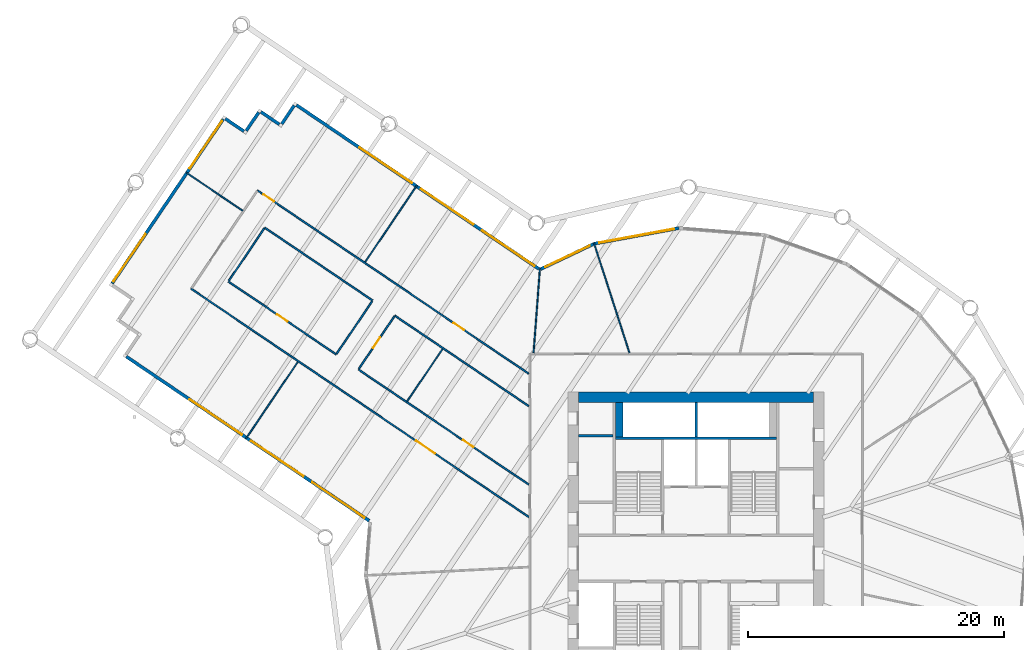
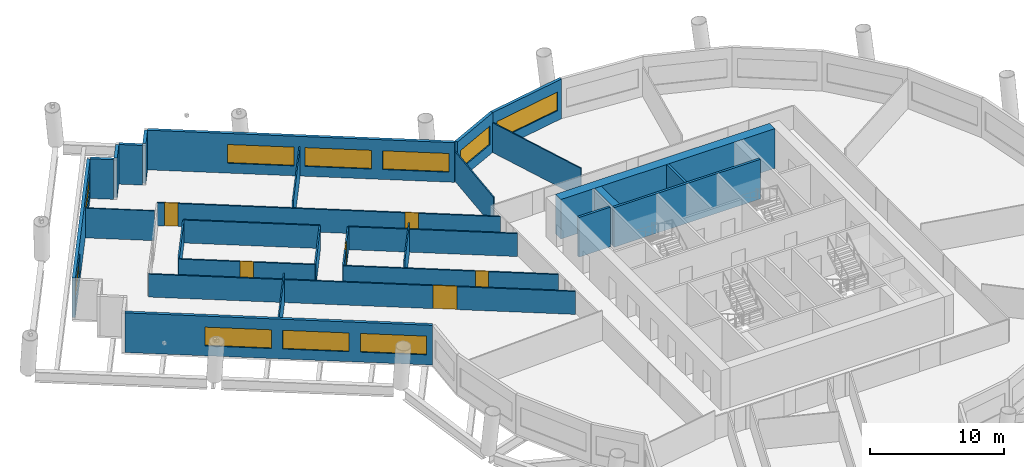
# One storey, part 6 of 13: 29 walls, 10 windows, 6 doors, 16 openings.
"""IFC4 building model written with IfcOpenShell, lengths in metres."""

from ifc_helpers import new_model, si_unit, direction, frame, frame_2d, origin, place, context, subcontext, project, spatial, rectangle, extrude, material, layer, layer_set, type_object, element, fill, save


model = new_model("IFC4")

# Units and contexts
model_context = context("Model", 3, precision=1e-05, world=origin(), true_north=direction((0.0, 1.0)))
body_context = subcontext(model_context, "Body", "Model", "MODEL_VIEW")
ifc_project = project(units=[si_unit("LENGTHUNIT", "METRE"), si_unit("AREAUNIT", "SQUARE_METRE"), si_unit("VOLUMEUNIT", "CUBIC_METRE"), si_unit("PLANEANGLEUNIT", "RADIAN"), si_unit("MASSUNIT", "GRAM", prefix="KILO")], contexts=[model_context])

# Site, building, storey
site_placement = place(None, origin())
site = spatial("IfcSite", under=ifc_project, at=site_placement, CompositionType="ELEMENT")
building_placement = place(site_placement, origin())
building = spatial("IfcBuilding", under=site, at=building_placement, Name="Tarsis Ring Headquarters", CompositionType="ELEMENT")
storey_placement = place(building_placement, frame((0.0, 0.0, 135.699951171875)))
storey = spatial("IfcBuildingStorey", under=building, at=storey_placement, Name="L31", CompositionType="ELEMENT", Elevation=135.699951171875)

# Walls
ifc_material_1 = material(Name="Blockwork", Category="masonry")
ifc_layer_1 = layer(ifc_material_1, 0.199951171875)
ifc_layer_set_1 = layer_set([ifc_layer_1], Name="Core blockwork wall 200")
wall_type_1 = type_object("IfcWallType", Name="Core blockwork wall 200", PredefinedType="PARTITIONING", material=ifc_layer_set_1)
wall_1_placement = place(storey_placement, frame((-9.199951171875, 9.60009765625, 0.0), z_axis=(0.0, 0.0, 1.0), x_axis=(1.0, 0.0, 0.0)))
element("IfcWall", 1, at=wall_1_placement, inside=storey, type_object=wall_type_1, Name="Core partition WD7", PredefinedType="PARTITIONING", context=body_context, shape_type="SweptSolid", body=[
    extrude(rectangle(XDim=2.699951171875, YDim=0.199951171875, at=frame_2d((1.35009765625, 0.0))), origin(), (0.0, 0.0, 1.0), 3.60009765625),
])
ifc_material_2 = material(Name="Concrete C60/75", Category="concrete")
ifc_layer_2 = layer(ifc_material_2, 0.800048828125)
ifc_layer_set_2 = layer_set([ifc_layer_2], Name="Core wall 800 C60/75")
wall_type_2 = type_object("IfcWallType", Name="Core wall 800 C60/75", PredefinedType="SHEAR", material=ifc_layer_set_2)
wall_2_placement = place(storey_placement, frame((-9.199951171875, 12.60009765625, 0.0), z_axis=(0.0, 0.0, 1.0), x_axis=(1.0, 0.0, 0.0)))
element("IfcWall", 2, at=wall_2_placement, inside=storey, type_object=wall_type_2, Name="Core wall ON", PredefinedType="SHEAR", context=body_context, shape_type="SweptSolid", body=[
    extrude(rectangle(XDim=18.39990234375, YDim=0.800048828125, at=frame_2d((9.199951171875, 0.0))), origin(), (0.0, 0.0, 1.0), 3.60009765625),
])
ifc_material_3 = material(Name="Gypsum board on steel studs", Category="steel")
ifc_layer_3 = layer(ifc_material_3, 0.10009765625)
ifc_layer_set_3 = layer_set([ifc_layer_3], Name="FL partition 100 unrated")
wall_type_3 = type_object("IfcWallType", Name="FL partition 100 unrated", PredefinedType="PARTITIONING", material=ifc_layer_set_3)
wall_3_placement = place(storey_placement, frame((-7.992431640625, 24.686279296875, 0.0), z_axis=(0.0, 0.0, 1.0), x_axis=(0.308017796693, -0.951380595199, 0.0)))
element("IfcWall", 3, at=wall_3_placement, inside=storey, type_object=wall_type_3, Name="Partition PW3", PredefinedType="PARTITIONING", context=body_context, shape_type="SweptSolid", body=[
    extrude(rectangle(XDim=9.050048828125, YDim=0.10009765625, at=frame_2d((4.52490234375, 0.0))), origin(), (0.0, 0.0, 1.0), 2.699951171875),
])
for number, where, z_axis, x_axis, name in (
    (4, (-25.87744140625, 23.17919921875, 0.0), (0.0, 0.0, 1.0), (0.560065754531, 0.828448158065, 0.0), "Partition PW3"),
    (5, (-35.19970703125, 9.37158203125, 0.0), (0.0, 0.0, 1.0), (0.560042610526, 0.828463803914, 0.0), "Partition PW3"),
):
    element("IfcWall", number, at=place(storey_placement, frame(where, z_axis=z_axis, x_axis=x_axis)), inside=storey, type_object=wall_type_3, Name=name, PredefinedType="PARTITIONING", context=body_context, shape_type="SweptSolid", body=[
        extrude(rectangle(XDim=7.239990234375, YDim=0.10009765625, at=frame_2d((3.6201171875, 0.0))), origin(), (0.0, 0.0, 1.0), 2.699951171875),
    ])
wall_4_placement = place(storey_placement, frame((-12.708251953125, 16.069580078125, 0.0), z_axis=(0.0, 0.0, 1.0), x_axis=(0.075137594398, 0.997173175486, 0.0)))
element("IfcWall", 6, at=wall_4_placement, inside=storey, type_object=wall_type_3, Name="Partition PW3", PredefinedType="PARTITIONING", context=body_context, shape_type="SweptSolid", body=[
    extrude(rectangle(XDim=6.59912109375, YDim=0.10009765625, at=frame_2d((3.299560546875, 0.0))), origin(), (0.0, 0.0, 1.0), 2.699951171875),
])
wall_5_placement = place(storey_placement, frame((-39.8857421875, 30.18701171875, 0.0), z_axis=(0.0, 0.0, 1.0), x_axis=(0.828445332947, -0.560069933417, 0.0)))
element("IfcWall", 7, at=wall_5_placement, inside=storey, type_object=wall_type_3, Name="Partition PW3", PredefinedType="PARTITIONING", context=body_context, shape_type="SweptSolid", body=[
    extrude(rectangle(XDim=5.349853515625, YDim=0.10009765625, at=frame_2d((2.6748046875, 0.0))), origin(), (0.0, 0.0, 1.0), 2.699951171875),
])
wall_6_placement = place(storey_placement, frame((-22.591796875, 12.291259765625, 0.0), z_axis=(0.0, 0.0, 1.0), x_axis=(0.560082980175, 0.828436512545, 0.0)))
element("IfcWall", 8, at=wall_6_placement, inside=storey, type_object=wall_type_3, Name="Partition PW3", PredefinedType="PARTITIONING", context=body_context, shape_type="SweptSolid", body=[
    extrude(rectangle(XDim=4.940185546875, YDim=0.10009765625, at=frame_2d((2.47021484375, 0.0))), origin(), (0.0, 0.0, 1.0), 2.699951171875),
])

# Wall, opening, door
ifc_layer_4 = layer(ifc_material_3, 0.125)
ifc_layer_set_4 = layer_set([ifc_layer_4], Name="FL partition 125 EI 60 H2080")
wall_type_4 = type_object("IfcWallType", Name="FL partition 125 EI 60 H2080", PredefinedType="PARTITIONING", material=ifc_layer_set_4)
wall_7_placement = place(storey_placement, frame((-39.489501953125, 21.095458984375, 0.0), z_axis=(0.0, 0.0, 1.0), x_axis=(0.828451961878, -0.560060127898, 0.0)))
wall_7 = element("IfcWall", 9, at=wall_7_placement, inside=storey, type_object=wall_type_4, Name="Partition PW1H208", PredefinedType="PARTITIONING", context=body_context, shape_type="SweptSolid", body=[
    extrude(rectangle(XDim=31.86474609375, YDim=0.125, at=frame_2d((15.932373046875, 0.0))), origin(), (0.0, 0.0, 1.0), 2.080078125),
])
opening_1_placement = place(wall_7_placement, frame((21.227294921875, 0.0, 0.0)))
opening_1 = element("IfcOpeningElement", 10, at=opening_1_placement, cuts=wall_7, Name="Opening D31.13", PredefinedType="OPENING", context=body_context, shape_type="SweptSolid", body=[
    extrude(rectangle(XDim=1.800048828125, YDim=2.10009765625, at=frame_2d((0.89990234375, 1.050048828125))), frame((0.0, 0.072509765625, 0.0), z_axis=(0.0, -1.0, 0.0), x_axis=(1.0, 0.0, 0.0)), (0.0, 0.0, 1.0), 0.14501953125),
])
ifc_material_4 = material(Name="Fire-rated timber door leaf in steel frame", Category="steel")
door_type_1 = type_object("IfcDoorType", Name="FL door FD60-1800", OperationType="DOUBLE_DOOR_SINGLE_SWING", PredefinedType="DOOR", material=ifc_material_4)
door_1_placement = place(opening_1_placement, origin())
door_1 = element("IfcDoor", 11, at=door_1_placement, inside=storey, type_object=door_type_1, Name="Door D31.13", OperationType="DOUBLE_DOOR_SINGLE_SWING", OverallHeight=2.10009765625, OverallWidth=1.800048828125, PredefinedType="DOOR", context=body_context, shape_type="SweptSolid", body=[
    extrude(rectangle(XDim=1.800048828125, YDim=2.10009765625, at=frame_2d((0.89990234375, 1.050048828125))), frame((0.0, 0.02490234375, 0.0), z_axis=(0.0, -1.0, 0.0), x_axis=(1.0, 0.0, 0.0)), (0.0, 0.0, 1.0), 0.050048828125),
])
fill(opening_1, door_1)

# Wall, openings, doors
wall_8_placement = place(storey_placement, frame((-34.292236328125, 28.783447265625, 0.0), z_axis=(0.0, 0.0, 1.0), x_axis=(0.82845031721, -0.560062560715, 0.0)))
wall_8 = element("IfcWall", 12, at=wall_8_placement, inside=storey, type_object=wall_type_4, Name="Partition PW1H208", PredefinedType="PARTITIONING", context=body_context, shape_type="SweptSolid", body=[
    extrude(rectangle(XDim=25.59130859375, YDim=0.125, at=frame_2d((12.795654296875, 0.0))), origin(), (0.0, 0.0, 1.0), 2.080078125),
])
opening_2_placement = place(wall_8_placement, frame((0.550048828125, 0.0, 0.0)))
opening_2 = element("IfcOpeningElement", 13, at=opening_2_placement, cuts=wall_8, Name="Opening D31.02", PredefinedType="OPENING", context=body_context, shape_type="SweptSolid", body=[
    extrude(rectangle(XDim=1.0, YDim=2.10009765625, at=frame_2d((0.5, 1.050048828125))), frame((0.0, 0.072509765625, 0.0), z_axis=(0.0, -1.0, 0.0), x_axis=(1.0, 0.0, 0.0)), (0.0, 0.0, 1.0), 0.14501953125),
])
opening_3_placement = place(wall_8_placement, frame((18.490478515625, 0.0, 0.0)))
opening_3 = element("IfcOpeningElement", 14, at=opening_3_placement, cuts=wall_8, Name="Opening D31.03", PredefinedType="OPENING", context=body_context, shape_type="SweptSolid", body=[
    extrude(rectangle(XDim=1.0, YDim=2.10009765625, at=frame_2d((0.5, 1.050048828125))), frame((0.0, 0.072509765625, 0.0), z_axis=(0.0, -1.0, 0.0), x_axis=(1.0, 0.0, 0.0)), (0.0, 0.0, 1.0), 0.14501953125),
])
door_type_2 = type_object("IfcDoorType", Name="FL door FD60-1000", OperationType="NOTDEFINED", PredefinedType="DOOR", material=ifc_material_4)
door_2_placement = place(opening_2_placement, origin())
door_2 = element("IfcDoor", 15, at=door_2_placement, inside=storey, type_object=door_type_2, Name="Door D31.02", OperationType="SINGLE_SWING_LEFT", OverallHeight=2.10009765625, OverallWidth=1.0, PredefinedType="DOOR", context=body_context, shape_type="SweptSolid", body=[
    extrude(rectangle(XDim=1.0, YDim=2.10009765625, at=frame_2d((0.5, 1.050048828125))), frame((0.0, 0.02490234375, 0.0), z_axis=(0.0, -1.0, 0.0), x_axis=(1.0, 0.0, 0.0)), (0.0, 0.0, 1.0), 0.050048828125),
])
fill(opening_2, door_2)
door_3_placement = place(opening_3_placement, origin())
door_3 = element("IfcDoor", 16, at=door_3_placement, inside=storey, type_object=door_type_2, Name="Door D31.03", OperationType="SINGLE_SWING_RIGHT", OverallHeight=2.10009765625, OverallWidth=1.0, PredefinedType="DOOR", context=body_context, shape_type="SweptSolid", body=[
    extrude(rectangle(XDim=1.0, YDim=2.10009765625, at=frame_2d((0.5, 1.050048828125))), frame((0.0, 0.02490234375, 0.0), z_axis=(0.0, -1.0, 0.0), x_axis=(1.0, 0.0, 0.0)), (0.0, 0.0, 1.0), 0.050048828125),
])
fill(opening_3, door_3)

# Wall, opening, door
wall_9_placement = place(storey_placement, frame((-26.400390625, 14.781494140625, 0.0), z_axis=(0.0, 0.0, 1.0), x_axis=(0.828458240697, -0.560050840033, 0.0)))
wall_9 = element("IfcWall", 17, at=wall_9_placement, inside=storey, type_object=wall_type_4, Name="Partition PW1H208", PredefinedType="PARTITIONING", context=body_context, shape_type="SweptSolid", body=[
    extrude(rectangle(XDim=16.065185546875, YDim=0.125, at=frame_2d((8.03271484375, 0.0))), origin(), (0.0, 0.0, 1.0), 2.080078125),
])
opening_4_placement = place(wall_9_placement, frame((9.860107421875, 0.0, 0.0)))
opening_4 = element("IfcOpeningElement", 18, at=opening_4_placement, cuts=wall_9, Name="Opening D31.14", PredefinedType="OPENING", context=body_context, shape_type="SweptSolid", body=[
    extrude(rectangle(XDim=1.0, YDim=2.10009765625, at=frame_2d((0.5, 1.050048828125))), frame((0.0, 0.072509765625, 0.0), z_axis=(0.0, -1.0, 0.0), x_axis=(1.0, 0.0, 0.0)), (0.0, 0.0, 1.0), 0.14501953125),
])
door_4_placement = place(opening_4_placement, origin())
door_4 = element("IfcDoor", 19, at=door_4_placement, inside=storey, type_object=door_type_2, Name="Door D31.14", OperationType="SINGLE_SWING_LEFT", OverallHeight=2.10009765625, OverallWidth=1.0, PredefinedType="DOOR", context=body_context, shape_type="SweptSolid", body=[
    extrude(rectangle(XDim=1.0, YDim=2.10009765625, at=frame_2d((0.5, 1.050048828125))), frame((0.0, 0.02490234375, 0.0), z_axis=(0.0, -1.0, 0.0), x_axis=(1.0, 0.0, 0.0)), (0.0, 0.0, 1.0), 0.050048828125),
])
fill(opening_4, door_4)

# Walls
wall_10_placement = place(storey_placement, frame((-23.555419921875, 18.989990234375, 0.0), z_axis=(0.0, 0.0, 1.0), x_axis=(0.828461721795, -0.560045690565, 0.0)))
element("IfcWall", 20, at=wall_10_placement, inside=storey, type_object=wall_type_4, Name="Partition PW1H208", PredefinedType="PARTITIONING", context=body_context, shape_type="SweptSolid", body=[
    extrude(rectangle(XDim=12.631103515625, YDim=0.125, at=frame_2d((6.3154296875, 0.0))), origin(), (0.0, 0.0, 1.0), 2.080078125),
])
wall_11_placement = place(storey_placement, frame((-33.728515625, 25.86767578125, 0.0), z_axis=(0.0, 0.0, 1.0), x_axis=(0.828450328486, -0.560062544035, 0.0)))
element("IfcWall", 21, at=wall_11_placement, inside=storey, type_object=wall_type_4, Name="Partition PW1H208", PredefinedType="PARTITIONING", context=body_context, shape_type="SweptSolid", body=[
    extrude(rectangle(XDim=10.179931640625, YDim=0.125, at=frame_2d((5.08984375, 0.0))), origin(), (0.0, 0.0, 1.0), 2.080078125),
])

# Wall, opening, door
wall_12_placement = place(storey_placement, frame((-36.57373046875, 21.6591796875, 0.0), z_axis=(0.0, 0.0, 1.0), x_axis=(0.828450328486, -0.560062544035, 0.0)))
wall_12 = element("IfcWall", 22, at=wall_12_placement, inside=storey, type_object=wall_type_4, Name="Partition PW1H208", PredefinedType="PARTITIONING", context=body_context, shape_type="SweptSolid", body=[
    extrude(rectangle(XDim=10.179931640625, YDim=0.125, at=frame_2d((5.08984375, 0.0))), origin(), (0.0, 0.0, 1.0), 2.080078125),
])
opening_5_placement = place(wall_12_placement, frame((4.590087890625, 0.0, 0.0)))
opening_5 = element("IfcOpeningElement", 23, at=opening_5_placement, cuts=wall_12, Name="Opening D31.18", PredefinedType="OPENING", context=body_context, shape_type="SweptSolid", body=[
    extrude(rectangle(XDim=1.0, YDim=2.10009765625, at=frame_2d((0.5, 1.050048828125))), frame((0.0, 0.072509765625, 0.0), z_axis=(0.0, -1.0, 0.0), x_axis=(1.0, 0.0, 0.0)), (0.0, 0.0, 1.0), 0.14501953125),
])
door_5_placement = place(opening_5_placement, origin())
door_5 = element("IfcDoor", 24, at=door_5_placement, inside=storey, type_object=door_type_2, Name="Door D31.18", OperationType="SINGLE_SWING_LEFT", OverallHeight=2.10009765625, OverallWidth=1.0, PredefinedType="DOOR", context=body_context, shape_type="SweptSolid", body=[
    extrude(rectangle(XDim=1.0, YDim=2.10009765625, at=frame_2d((0.5, 1.050048828125))), frame((0.0, 0.02490234375, 0.0), z_axis=(0.0, -1.0, 0.0), x_axis=(1.0, 0.0, 0.0)), (0.0, 0.0, 1.0), 0.050048828125),
])
fill(opening_5, door_5)

wall_13_placement = place(storey_placement, frame((-26.36669921875, 14.831298828125, 0.0), z_axis=(0.0, 0.0, 1.0), x_axis=(0.560050113117, 0.828458732103, 0.0)))
wall_13 = element("IfcWall", 25, at=wall_13_placement, inside=storey, type_object=wall_type_4, Name="Partition PW1H208", PredefinedType="PARTITIONING", context=body_context, shape_type="SweptSolid", body=[
    extrude(rectangle(XDim=4.9599609375, YDim=0.125, at=frame_2d((2.47998046875, 0.0))), origin(), (0.0, 0.0, 1.0), 2.080078125),
])
opening_6_placement = place(wall_13_placement, frame((1.97998046875, 0.0, 0.0)))
opening_6 = element("IfcOpeningElement", 26, at=opening_6_placement, cuts=wall_13, Name="Opening D31.15", PredefinedType="OPENING", context=body_context, shape_type="SweptSolid", body=[
    extrude(rectangle(XDim=1.0, YDim=2.10009765625, at=frame_2d((0.5, 1.050048828125))), frame((0.0, 0.072509765625, 0.0), z_axis=(0.0, -1.0, 0.0), x_axis=(1.0, 0.0, 0.0)), (0.0, 0.0, 1.0), 0.14501953125),
])
door_6_placement = place(opening_6_placement, origin())
door_6 = element("IfcDoor", 27, at=door_6_placement, inside=storey, type_object=door_type_2, Name="Door D31.15", OperationType="SINGLE_SWING_RIGHT", OverallHeight=2.10009765625, OverallWidth=1.0, PredefinedType="DOOR", context=body_context, shape_type="SweptSolid", body=[
    extrude(rectangle(XDim=1.0, YDim=2.10009765625, at=frame_2d((0.5, 1.050048828125))), frame((0.0, 0.02490234375, 0.0), z_axis=(0.0, -1.0, 0.0), x_axis=(1.0, 0.0, 0.0)), (0.0, 0.0, 1.0), 0.050048828125),
])
fill(opening_6, door_6)

# Walls
for number, where, z_axis, x_axis, name in (
    (28, (-28.1064453125, 16.00732421875, 0.0), (0.0, 0.0, 1.0), (0.560050113117, 0.828458732103, 0.0), "Partition PW1H208"),
    (29, (-36.5400390625, 21.708740234375, 0.0), (0.0, 0.0, 1.0), (0.560050113117, 0.828458732103, 0.0), "Partition PW1H208"),
):
    element("IfcWall", number, at=place(storey_placement, frame(where, z_axis=z_axis, x_axis=x_axis)), inside=storey, type_object=wall_type_4, Name=name, PredefinedType="PARTITIONING", context=body_context, shape_type="SweptSolid", body=[
        extrude(rectangle(XDim=4.9599609375, YDim=0.125, at=frame_2d((2.47998046875, 0.0))), origin(), (0.0, 0.0, 1.0), 2.080078125),
    ])

# Wall, openings, windows
ifc_material_5 = material(Name="Terracotta clad insulated panel wall", Category="masonry")
ifc_layer_5 = layer(ifc_material_5, 0.25)
ifc_layer_set_5 = layer_set([ifc_layer_5], Name="Facade wall terracotta panel 250")
wall_type_5 = type_object("IfcWallType", Name="Facade wall terracotta panel 250", PredefinedType="STANDARD", material=ifc_layer_set_5)
wall_14_placement = place(storey_placement, frame((-44.552490234375, 15.784912109375, 0.0), z_axis=(0.0, 0.0, 1.0), x_axis=(0.82845594308, -0.56005423878, 0.0)))
wall_14 = element("IfcWall", 30, at=wall_14_placement, inside=storey, type_object=wall_type_5, Name="External wall L31-01", PredefinedType="STANDARD", context=body_context, shape_type="SweptSolid", body=[
    extrude(rectangle(XDim=22.922119140625, YDim=0.25, at=frame_2d((11.4609375, 0.0))), origin(), (0.0, 0.0, 1.0), 3.60009765625),
])
opening_7_placement = place(wall_14_placement, frame((5.964599609375, 0.0, 0.89990234375)))
opening_7 = element("IfcOpeningElement", 31, at=opening_7_placement, cuts=wall_14, Name="Opening WN05", PredefinedType="OPENING", context=body_context, shape_type="SweptSolid", body=[
    extrude(rectangle(XDim=4.949951171875, YDim=1.699951171875, at=frame_2d((2.47509765625, 0.85009765625))), frame((0.0, 0.135009765625, 0.0), z_axis=(0.0, -1.0, 0.0), x_axis=(1.0, 0.0, 0.0)), (0.0, 0.0, 1.0), 0.27001953125),
])
opening_8_placement = place(wall_14_placement, frame((11.757568359375, 0.0, 0.89990234375)))
opening_8 = element("IfcOpeningElement", 32, at=opening_8_placement, cuts=wall_14, Name="Opening WN05", PredefinedType="OPENING", context=body_context, shape_type="SweptSolid", body=[
    extrude(rectangle(XDim=4.949951171875, YDim=1.699951171875, at=frame_2d((2.47509765625, 0.85009765625))), frame((0.0, 0.135009765625, 0.0), z_axis=(0.0, -1.0, 0.0), x_axis=(1.0, 0.0, 0.0)), (0.0, 0.0, 1.0), 0.27001953125),
])
opening_9_placement = place(wall_14_placement, frame((17.550537109375, 0.0, 0.89990234375)))
opening_9 = element("IfcOpeningElement", 33, at=opening_9_placement, cuts=wall_14, Name="Opening WN05", PredefinedType="OPENING", context=body_context, shape_type="SweptSolid", body=[
    extrude(rectangle(XDim=4.949951171875, YDim=1.699951171875, at=frame_2d((2.47509765625, 0.85009765625))), frame((0.0, 0.135009765625, 0.0), z_axis=(0.0, -1.0, 0.0), x_axis=(1.0, 0.0, 0.0)), (0.0, 0.0, 1.0), 0.27001953125),
])
ifc_material_6 = material(Name="Aluminium framed double glazing", Category="aluminium")
window_type_1 = type_object("IfcWindowType", Name="Facade window 4950 x 1700", PartitioningType="SINGLE_PANEL", PredefinedType="WINDOW", material=ifc_material_6)
window_1_placement = place(opening_7_placement, origin())
window_1 = element("IfcWindow", 34, at=window_1_placement, inside=storey, type_object=window_type_1, Name="Window L31-01.2", OverallHeight=1.699951171875, OverallWidth=4.949951171875, PartitioningType="SINGLE_PANEL", PredefinedType="WINDOW", context=body_context, shape_type="SweptSolid", body=[
    extrude(rectangle(XDim=4.949951171875, YDim=1.699951171875, at=frame_2d((2.47509765625, 0.85009765625))), frame((0.0, 0.030029296875, 0.0), z_axis=(0.0, -1.0, 0.0), x_axis=(1.0, 0.0, 0.0)), (0.0, 0.0, 1.0), 0.06005859375),
])
fill(opening_7, window_1)
window_2_placement = place(opening_8_placement, origin())
window_2 = element("IfcWindow", 35, at=window_2_placement, inside=storey, type_object=window_type_1, Name="Window L31-01.3", OverallHeight=1.699951171875, OverallWidth=4.949951171875, PartitioningType="SINGLE_PANEL", PredefinedType="WINDOW", context=body_context, shape_type="SweptSolid", body=[
    extrude(rectangle(XDim=4.949951171875, YDim=1.699951171875, at=frame_2d((2.47509765625, 0.85009765625))), frame((0.0, 0.030029296875, 0.0), z_axis=(0.0, -1.0, 0.0), x_axis=(1.0, 0.0, 0.0)), (0.0, 0.0, 1.0), 0.06005859375),
])
fill(opening_8, window_2)
window_3_placement = place(opening_9_placement, origin())
window_3 = element("IfcWindow", 36, at=window_3_placement, inside=storey, type_object=window_type_1, Name="Window L31-01.4", OverallHeight=1.699951171875, OverallWidth=4.949951171875, PartitioningType="SINGLE_PANEL", PredefinedType="WINDOW", context=body_context, shape_type="SweptSolid", body=[
    extrude(rectangle(XDim=4.949951171875, YDim=1.699951171875, at=frame_2d((2.47509765625, 0.85009765625))), frame((0.0, 0.030029296875, 0.0), z_axis=(0.0, -1.0, 0.0), x_axis=(1.0, 0.0, 0.0)), (0.0, 0.0, 1.0), 0.06005859375),
])
fill(opening_9, window_3)

# Wall, opening, window
wall_15_placement = place(storey_placement, frame((-1.34326171875, 25.8369140625, 0.0), z_axis=(0.0, 0.0, 1.0), x_axis=(-0.983444672718, -0.181208652393, 0.0)))
wall_15 = element("IfcWall", 37, at=wall_15_placement, inside=storey, type_object=wall_type_5, Name="External wall L31-29", PredefinedType="STANDARD", context=body_context, shape_type="SweptSolid", body=[
    extrude(rectangle(XDim=6.7216796875, YDim=0.25, at=frame_2d((3.36083984375, 0.0))), origin(), (0.0, 0.0, 1.0), 3.60009765625),
])
opening_10_placement = place(wall_15_placement, frame((0.3857421875, 0.0, 0.89990234375)))
opening_10 = element("IfcOpeningElement", 38, at=opening_10_placement, cuts=wall_15, Name="Opening WN07", PredefinedType="OPENING", context=body_context, shape_type="SweptSolid", body=[
    extrude(rectangle(XDim=5.949951171875, YDim=1.699951171875, at=frame_2d((2.97509765625, 0.85009765625))), frame((0.0, 0.135009765625, 0.0), z_axis=(0.0, -1.0, 0.0), x_axis=(1.0, 0.0, 0.0)), (0.0, 0.0, 1.0), 0.27001953125),
])
window_type_2 = type_object("IfcWindowType", Name="Facade window 5950 x 1700", PartitioningType="SINGLE_PANEL", PredefinedType="WINDOW", material=ifc_material_6)
window_4_placement = place(opening_10_placement, origin())
window_4 = element("IfcWindow", 39, at=window_4_placement, inside=storey, type_object=window_type_2, Name="Window L31-29.1", OverallHeight=1.699951171875, OverallWidth=5.949951171875, PartitioningType="SINGLE_PANEL", PredefinedType="WINDOW", context=body_context, shape_type="SweptSolid", body=[
    extrude(rectangle(XDim=5.949951171875, YDim=1.699951171875, at=frame_2d((2.97509765625, 0.85009765625))), frame((0.0, 0.030029296875, 0.0), z_axis=(0.0, -1.0, 0.0), x_axis=(1.0, 0.0, 0.0)), (0.0, 0.0, 1.0), 0.06005859375),
])
fill(opening_10, window_4)

wall_16_placement = place(storey_placement, frame((-7.984619140625, 24.60888671875, 0.0), z_axis=(0.0, 0.0, 1.0), x_axis=(-0.903031470896, -0.429574397016, 0.0)))
wall_16 = element("IfcWall", 40, at=wall_16_placement, inside=storey, type_object=wall_type_5, Name="External wall L31-30", PredefinedType="STANDARD", context=body_context, shape_type="SweptSolid", body=[
    extrude(rectangle(XDim=4.61767578125, YDim=0.25, at=frame_2d((2.308837890625, 0.0))), origin(), (0.0, 0.0, 1.0), 3.60009765625),
])
opening_11_placement = place(wall_16_placement, frame((0.367431640625, 0.0, 0.89990234375)))
opening_11 = element("IfcOpeningElement", 41, at=opening_11_placement, cuts=wall_16, Name="Opening WN02", PredefinedType="OPENING", context=body_context, shape_type="SweptSolid", body=[
    extrude(rectangle(XDim=3.85009765625, YDim=1.699951171875, at=frame_2d((1.925048828125, 0.85009765625))), frame((0.0, 0.135009765625, 0.0), z_axis=(0.0, -1.0, 0.0), x_axis=(1.0, 0.0, 0.0)), (0.0, 0.0, 1.0), 0.27001953125),
])
window_type_3 = type_object("IfcWindowType", Name="Facade window 3850 x 1700", PartitioningType="SINGLE_PANEL", PredefinedType="WINDOW", material=ifc_material_6)
window_5_placement = place(opening_11_placement, origin())
window_5 = element("IfcWindow", 42, at=window_5_placement, inside=storey, type_object=window_type_3, Name="Window L31-30.1", OverallHeight=1.699951171875, OverallWidth=3.85009765625, PartitioningType="SINGLE_PANEL", PredefinedType="WINDOW", context=body_context, shape_type="SweptSolid", body=[
    extrude(rectangle(XDim=3.85009765625, YDim=1.699951171875, at=frame_2d((1.925048828125, 0.85009765625))), frame((0.0, 0.030029296875, 0.0), z_axis=(0.0, -1.0, 0.0), x_axis=(1.0, 0.0, 0.0)), (0.0, 0.0, 1.0), 0.06005859375),
])
fill(opening_11, window_5)

# Wall, openings, windows
wall_17_placement = place(storey_placement, frame((-12.2783203125, 22.634521484375, 0.0), z_axis=(0.0, 0.0, 1.0), x_axis=(-0.828451008919, 0.560061537531, 0.0)))
wall_17 = element("IfcWall", 43, at=wall_17_placement, inside=storey, type_object=wall_type_5, Name="External wall L31-31", PredefinedType="STANDARD", context=body_context, shape_type="SweptSolid", body=[
    extrude(rectangle(XDim=22.9013671875, YDim=0.25, at=frame_2d((11.45068359375, 0.0))), origin(), (0.0, 0.0, 1.0), 3.60009765625),
])
opening_12_placement = place(wall_17_placement, frame((0.4189453125, 0.0, 0.89990234375)))
opening_12 = element("IfcOpeningElement", 44, at=opening_12_placement, cuts=wall_17, Name="Opening WN05", PredefinedType="OPENING", context=body_context, shape_type="SweptSolid", body=[
    extrude(rectangle(XDim=4.949951171875, YDim=1.699951171875, at=frame_2d((2.47509765625, 0.85009765625))), frame((0.0, 0.135009765625, 0.0), z_axis=(0.0, -1.0, 0.0), x_axis=(1.0, 0.0, 0.0)), (0.0, 0.0, 1.0), 0.27001953125),
])
opening_13_placement = place(wall_17_placement, frame((6.206787109375, 0.0, 0.89990234375)))
opening_13 = element("IfcOpeningElement", 45, at=opening_13_placement, cuts=wall_17, Name="Opening WN05", PredefinedType="OPENING", context=body_context, shape_type="SweptSolid", body=[
    extrude(rectangle(XDim=4.949951171875, YDim=1.699951171875, at=frame_2d((2.47509765625, 0.85009765625))), frame((0.0, 0.135009765625, 0.0), z_axis=(0.0, -1.0, 0.0), x_axis=(1.0, 0.0, 0.0)), (0.0, 0.0, 1.0), 0.27001953125),
])
opening_14_placement = place(wall_17_placement, frame((11.99462890625, 0.0, 0.89990234375)))
opening_14 = element("IfcOpeningElement", 46, at=opening_14_placement, cuts=wall_17, Name="Opening WN05", PredefinedType="OPENING", context=body_context, shape_type="SweptSolid", body=[
    extrude(rectangle(XDim=4.949951171875, YDim=1.699951171875, at=frame_2d((2.47509765625, 0.85009765625))), frame((0.0, 0.135009765625, 0.0), z_axis=(0.0, -1.0, 0.0), x_axis=(1.0, 0.0, 0.0)), (0.0, 0.0, 1.0), 0.27001953125),
])
window_6_placement = place(opening_12_placement, origin())
window_6 = element("IfcWindow", 47, at=window_6_placement, inside=storey, type_object=window_type_1, Name="Window L31-31.1", OverallHeight=1.699951171875, OverallWidth=4.949951171875, PartitioningType="SINGLE_PANEL", PredefinedType="WINDOW", context=body_context, shape_type="SweptSolid", body=[
    extrude(rectangle(XDim=4.949951171875, YDim=1.699951171875, at=frame_2d((2.47509765625, 0.85009765625))), frame((0.0, 0.030029296875, 0.0), z_axis=(0.0, -1.0, 0.0), x_axis=(1.0, 0.0, 0.0)), (0.0, 0.0, 1.0), 0.06005859375),
])
fill(opening_12, window_6)
window_7_placement = place(opening_13_placement, origin())
window_7 = element("IfcWindow", 48, at=window_7_placement, inside=storey, type_object=window_type_1, Name="Window L31-31.2", OverallHeight=1.699951171875, OverallWidth=4.949951171875, PartitioningType="SINGLE_PANEL", PredefinedType="WINDOW", context=body_context, shape_type="SweptSolid", body=[
    extrude(rectangle(XDim=4.949951171875, YDim=1.699951171875, at=frame_2d((2.47509765625, 0.85009765625))), frame((0.0, 0.030029296875, 0.0), z_axis=(0.0, -1.0, 0.0), x_axis=(1.0, 0.0, 0.0)), (0.0, 0.0, 1.0), 0.06005859375),
])
fill(opening_13, window_7)
window_8_placement = place(opening_14_placement, origin())
window_8 = element("IfcWindow", 49, at=window_8_placement, inside=storey, type_object=window_type_1, Name="Window L31-31.3", OverallHeight=1.699951171875, OverallWidth=4.949951171875, PartitioningType="SINGLE_PANEL", PredefinedType="WINDOW", context=body_context, shape_type="SweptSolid", body=[
    extrude(rectangle(XDim=4.949951171875, YDim=1.699951171875, at=frame_2d((2.47509765625, 0.85009765625))), frame((0.0, 0.030029296875, 0.0), z_axis=(0.0, -1.0, 0.0), x_axis=(1.0, 0.0, 0.0)), (0.0, 0.0, 1.0), 0.06005859375),
])
fill(opening_14, window_8)

# Walls
wall_18_placement = place(storey_placement, frame((-31.424560546875, 35.427001953125, 0.0), z_axis=(0.0, 0.0, 1.0), x_axis=(-0.560033442986, -0.828470001109, 0.0)))
element("IfcWall", 50, at=wall_18_placement, inside=storey, type_object=wall_type_5, Name="External wall L31-32", PredefinedType="STANDARD", context=body_context, shape_type="SweptSolid", body=[
    extrude(rectangle(XDim=1.749755859375, YDim=0.25, at=frame_2d((0.875, 0.0))), origin(), (0.0, 0.0, 1.0), 3.60009765625),
])
wall_19_placement = place(storey_placement, frame((-32.578125, 33.94384765625, 0.0), z_axis=(0.0, 0.0, 1.0), x_axis=(-0.828513752234, 0.559968715519, 0.0)))
element("IfcWall", 51, at=wall_19_placement, inside=storey, type_object=wall_type_5, Name="External wall L31-33", PredefinedType="STANDARD", context=body_context, shape_type="SweptSolid", body=[
    extrude(rectangle(XDim=1.75, YDim=0.25, at=frame_2d((0.875, 0.0))), origin(), (0.0, 0.0, 1.0), 3.60009765625),
])
wall_20_placement = place(storey_placement, frame((-34.201416015625, 34.890380859375, 0.0), z_axis=(0.0, 0.0, 1.0), x_axis=(-0.560064464674, -0.828449030061, 0.0)))
element("IfcWall", 52, at=wall_20_placement, inside=storey, type_object=wall_type_5, Name="External wall L31-34", PredefinedType="STANDARD", context=body_context, shape_type="SweptSolid", body=[
    extrude(rectangle(XDim=1.750244140625, YDim=0.25, at=frame_2d((0.875, 0.0))), origin(), (0.0, 0.0, 1.0), 3.60009765625),
])
wall_21_placement = place(storey_placement, frame((-35.355224609375, 33.406982421875, 0.0), z_axis=(0.0, 0.0, 1.0), x_axis=(-0.828470001109, 0.560033442986, 0.0)))
element("IfcWall", 53, at=wall_21_placement, inside=storey, type_object=wall_type_5, Name="External wall L31-35", PredefinedType="STANDARD", context=body_context, shape_type="SweptSolid", body=[
    extrude(rectangle(XDim=1.749755859375, YDim=0.25, at=frame_2d((0.875, 0.0))), origin(), (0.0, 0.0, 1.0), 3.60009765625),
])

# Wall, openings, windows
wall_22_placement = place(storey_placement, frame((-36.978515625, 34.353515625, 0.0), z_axis=(0.0, 0.0, 1.0), x_axis=(-0.560057307519, -0.828453868537, 0.0)))
wall_22 = element("IfcWall", 54, at=wall_22_placement, inside=storey, type_object=wall_type_5, Name="External wall L31-36", PredefinedType="STANDARD", context=body_context, shape_type="SweptSolid", body=[
    extrude(rectangle(XDim=15.5, YDim=0.25, at=frame_2d((7.75, 0.0))), origin(), (0.0, 0.0, 1.0), 3.60009765625),
])
opening_15_placement = place(wall_22_placement, frame((0.166748046875, 0.0, 0.89990234375)))
opening_15 = element("IfcOpeningElement", 55, at=opening_15_placement, cuts=wall_22, Name="Opening WN04", PredefinedType="OPENING", context=body_context, shape_type="SweptSolid", body=[
    extrude(rectangle(XDim=4.5, YDim=1.699951171875, at=frame_2d((2.25, 0.85009765625))), frame((0.0, 0.135009765625, 0.0), z_axis=(0.0, -1.0, 0.0), x_axis=(1.0, 0.0, 0.0)), (0.0, 0.0, 1.0), 0.27001953125),
])
opening_16_placement = place(wall_22_placement, frame((10.833251953125, 0.0, 0.89990234375)))
opening_16 = element("IfcOpeningElement", 56, at=opening_16_placement, cuts=wall_22, Name="Opening WN04", PredefinedType="OPENING", context=body_context, shape_type="SweptSolid", body=[
    extrude(rectangle(XDim=4.5, YDim=1.699951171875, at=frame_2d((2.25, 0.85009765625))), frame((0.0, 0.135009765625, 0.0), z_axis=(0.0, -1.0, 0.0), x_axis=(1.0, 0.0, 0.0)), (0.0, 0.0, 1.0), 0.27001953125),
])
window_type_4 = type_object("IfcWindowType", Name="Facade window 4500 x 1700", PartitioningType="SINGLE_PANEL", PredefinedType="WINDOW", material=ifc_material_6)
window_9_placement = place(opening_15_placement, origin())
window_9 = element("IfcWindow", 57, at=window_9_placement, inside=storey, type_object=window_type_4, Name="Window L31-36.1", OverallHeight=1.699951171875, OverallWidth=4.5, PartitioningType="SINGLE_PANEL", PredefinedType="WINDOW", context=body_context, shape_type="SweptSolid", body=[
    extrude(rectangle(XDim=4.5, YDim=1.699951171875, at=frame_2d((2.25, 0.85009765625))), frame((0.0, 0.030029296875, 0.0), z_axis=(0.0, -1.0, 0.0), x_axis=(1.0, 0.0, 0.0)), (0.0, 0.0, 1.0), 0.06005859375),
])
fill(opening_15, window_9)
window_10_placement = place(opening_16_placement, origin())
window_10 = element("IfcWindow", 58, at=window_10_placement, inside=storey, type_object=window_type_4, Name="Window L31-36.3", OverallHeight=1.699951171875, OverallWidth=4.5, PartitioningType="SINGLE_PANEL", PredefinedType="WINDOW", context=body_context, shape_type="SweptSolid", body=[
    extrude(rectangle(XDim=4.5, YDim=1.699951171875, at=frame_2d((2.25, 0.85009765625))), frame((0.0, 0.030029296875, 0.0), z_axis=(0.0, -1.0, 0.0), x_axis=(1.0, 0.0, 0.0)), (0.0, 0.0, 1.0), 0.06005859375),
])
fill(opening_16, window_10)

# Walls
ifc_material_7 = material(Name="Concrete C32/40", Category="concrete")
ifc_layer_6 = layer(ifc_material_7, 0.60009765625)
ifc_layer_set_6 = layer_set([ifc_layer_6], Name="Shaft end wall 600 C32/40")
wall_type_6 = type_object("IfcWallType", Name="Shaft end wall 600 C32/40", PredefinedType="SOLIDWALL", material=ifc_layer_set_6)
wall_23_placement = place(storey_placement, frame((-6.0, 9.5, 0.0), z_axis=(0.0, 0.0, 1.0), x_axis=(0.0, 1.0, 0.0)))
element("IfcWall", 59, at=wall_23_placement, inside=storey, type_object=wall_type_6, Name="Core shaft wall NNE1", PredefinedType="SOLIDWALL", context=body_context, shape_type="SweptSolid", body=[
    extrude(rectangle(XDim=2.699951171875, YDim=0.60009765625, at=frame_2d((1.35009765625, 0.0))), origin(), (0.0, 0.0, 1.0), 3.60009765625),
])
ifc_layer_7 = layer(ifc_material_7, 0.199951171875)
ifc_layer_set_7 = layer_set([ifc_layer_7], Name="Shaft wall 200 C32/40")
wall_type_7 = type_object("IfcWallType", Name="Shaft wall 200 C32/40", PredefinedType="SOLIDWALL", material=ifc_layer_set_7)
wall_24_placement = place(storey_placement, frame((-6.300048828125, 9.39990234375, 0.0), z_axis=(0.0, 0.0, 1.0), x_axis=(1.0, 0.0, 0.0)))
element("IfcWall", 60, at=wall_24_placement, inside=storey, type_object=wall_type_7, Name="Core shaft wall NB", PredefinedType="SOLIDWALL", context=body_context, shape_type="SweptSolid", body=[
    extrude(rectangle(XDim=12.60009765625, YDim=0.199951171875, at=frame_2d((6.300048828125, 0.0))), origin(), (0.0, 0.0, 1.0), 3.60009765625),
])
wall_25_placement = place(storey_placement, frame((0.0, 9.5, 0.0), z_axis=(0.0, 0.0, 1.0), x_axis=(0.0, 1.0, 0.0)))
element("IfcWall", 61, at=wall_25_placement, inside=storey, type_object=wall_type_7, Name="Core shaft wall ND2", PredefinedType="SOLIDWALL", context=body_context, shape_type="SweptSolid", body=[
    extrude(rectangle(XDim=2.699951171875, YDim=0.199951171875, at=frame_2d((1.35009765625, 0.0))), origin(), (0.0, 0.0, 1.0), 3.60009765625),
])

save(model, "model.ifc")
